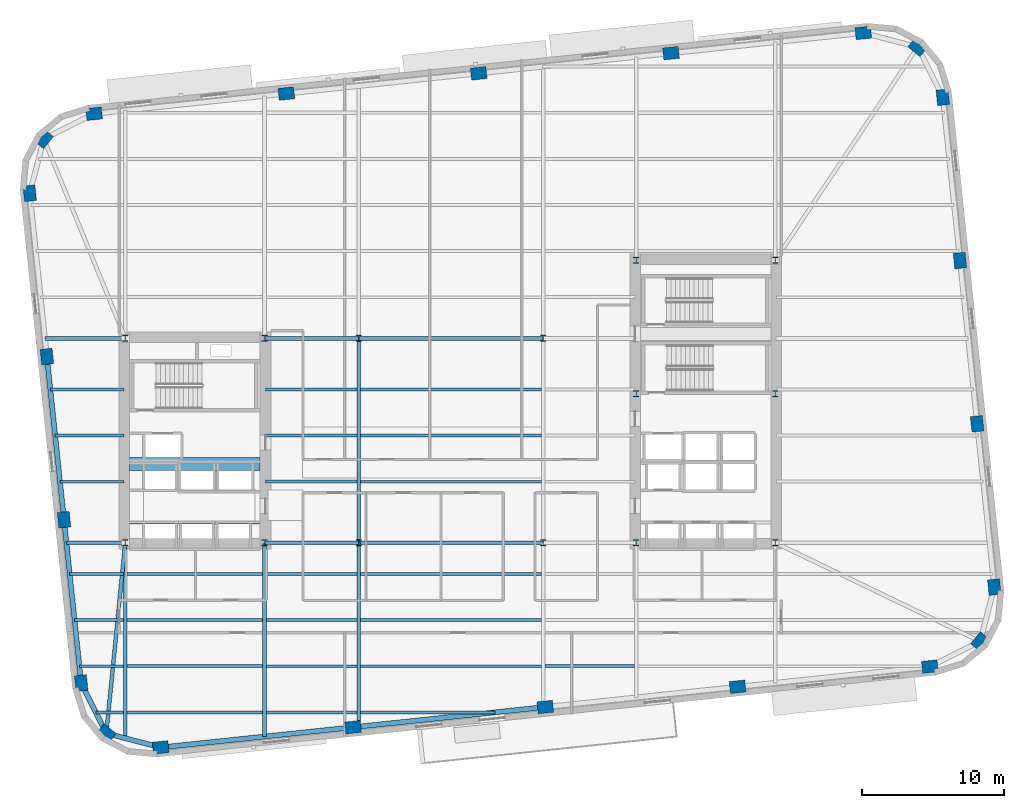
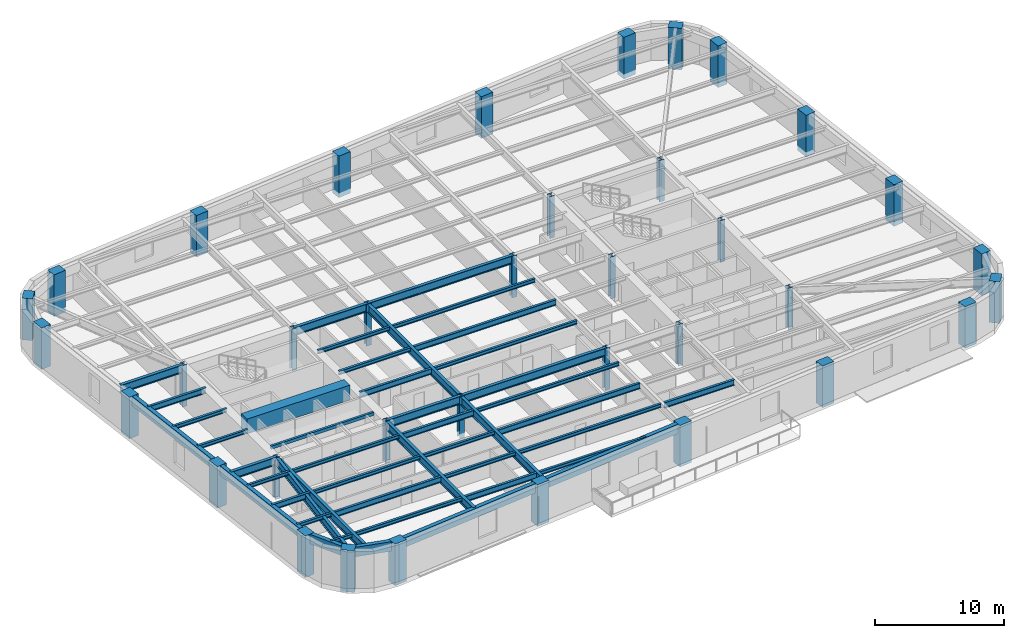
# One storey, part 1 of 11: 45 beams, 36 columns.
"""IFC4 building model written with IfcOpenShell, lengths in metres."""

from ifc_helpers import new_model, si_unit, direction, frame, origin, origin_2d, place, context, subcontext, project, spatial, rectangle, hollow_rectangle, i_section, extrude, material, material_profile, profile_set, type_object, element, save


model = new_model("IFC4")

# Units and contexts
model_context = context("Model", 3, precision=1e-05, world=origin(), true_north=direction((0.0, 1.0)))
body_context = subcontext(model_context, "Body", "Model", "MODEL_VIEW")
ifc_project = project(units=[si_unit("LENGTHUNIT", "METRE"), si_unit("AREAUNIT", "SQUARE_METRE"), si_unit("VOLUMEUNIT", "CUBIC_METRE"), si_unit("PLANEANGLEUNIT", "RADIAN"), si_unit("MASSUNIT", "GRAM", prefix="KILO")], contexts=[model_context])

# Site, building, storey
site_placement = place(None, origin())
site = spatial("IfcSite", under=ifc_project, at=site_placement, CompositionType="ELEMENT")
building_placement = place(site_placement, origin())
building = spatial("IfcBuilding", under=site, at=building_placement, Name="Kolvaren Arena Tower", CompositionType="ELEMENT")
storey_placement = place(building_placement, frame((0.0, 0.0, 99.699951171875)))
storey = spatial("IfcBuildingStorey", under=building, at=storey_placement, Name="L22", CompositionType="ELEMENT", Elevation=99.699951171875)

# Columns
ifc_material_1 = material(Name="Precast concrete C70/85", Category="concrete")
ifc_material_profile_1 = material_profile(ifc_material_1, rectangle(XDim=1.10009765625, YDim=0.85009765625, at=origin_2d()), Name="RC-1100x850")
ifc_profile_set_1 = profile_set([ifc_material_profile_1], Name="Precast concrete C70/85")
column_type_1 = type_object("IfcColumnType", Name="EXCOL-Z2", PredefinedType="COLUMN", material=ifc_profile_set_1)
for number, where, z_axis, x_axis, name in (
    (1, (17.0458984375, 5.024658203125, -0.449951171875), (0.0, 0.0, 1.0), (0.994521895368, 0.104528463268, 0.0), "Exoskeleton Perimeter Column 01 (L22)"),
    (2, (30.59619140625, 6.44873046875, -0.449951171875), (0.0, 0.0, 1.0), (0.994521895368, 0.104528463268, 0.0), "Exoskeleton Perimeter Column 02 (L22)"),
    (3, (44.146728515625, 7.873046875, -0.449951171875), (0.0, 0.0, 1.0), (0.994521895368, 0.104528463268, 0.0), "Exoskeleton Perimeter Column 03 (L22)"),
    (4, (57.697021484375, 9.297119140625, -0.449951171875), (0.0, 0.0, 1.0), (0.994521895368, 0.104528463268, 0.0), "Exoskeleton Perimeter Column 04 (L22)"),
    (5, (71.247314453125, 10.721435546875, -0.449951171875), (0.0, 0.0, 1.0), (0.994521895368, 0.104528463268, 0.0), "Exoskeleton Perimeter Column 05 (L22)"),
    (6, (74.790283203125, 12.49267578125, -0.449951171875), (0.0, 0.0, 1.0), (0.62932039105, 0.777145961457, 0.0), "Exoskeleton Perimeter Column 06 (L22)"),
    (7, (75.786376953125, 16.326416015625, -0.449951171875), (0.0, 0.0, 1.0), (-0.104528463268, 0.994521895368, 0.0), "Exoskeleton Perimeter Column 07 (L22)"),
    (8, (74.577392578125, 27.829833984375, -0.449951171875), (0.0, 0.0, 1.0), (-0.104528463268, 0.994521895368, 0.0), "Exoskeleton Perimeter Column 08 (L22)"),
    (9, (73.368408203125, 39.3330078125, -0.449951171875), (0.0, 0.0, 1.0), (-0.104528463268, 0.994521895368, 0.0), "Exoskeleton Perimeter Column 09 (L22)"),
    (10, (72.1591796875, 50.83642578125, -0.449951171875), (0.0, 0.0, 1.0), (-0.104528463268, 0.994521895368, 0.0), "Exoskeleton Perimeter Column 10 (L22)"),
    (11, (70.387939453125, 54.37939453125, -0.449951171875), (0.0, 0.0, 1.0), (-0.777145961457, 0.62932039105, 0.0), "Exoskeleton Perimeter Column 11 (L22)"),
    (12, (66.55419921875, 55.37548828125, -0.449951171875), (0.0, 0.0, 1.0), (0.994521895368, 0.104528463268, 0.0), "Exoskeleton Perimeter Column 12 (L22)"),
    (13, (53.003662109375, 53.951171875, -0.449951171875), (0.0, 0.0, 1.0), (0.994521895368, 0.104528463268, 0.0), "Exoskeleton Perimeter Column 13 (L22)"),
    (14, (39.453369140625, 52.527099609375, -0.449951171875), (0.0, 0.0, 1.0), (0.994521895368, 0.104528463268, 0.0), "Exoskeleton Perimeter Column 14 (L22)"),
    (15, (25.903076171875, 51.102783203125, -0.449951171875), (0.0, 0.0, 1.0), (0.994521895368, 0.104528463268, 0.0), "Exoskeleton Perimeter Column 15 (L22)"),
    (16, (12.3525390625, 49.6787109375, -0.449951171875), (0.0, 0.0, 1.0), (0.994521895368, 0.104528463268, 0.0), "Exoskeleton Perimeter Column 16 (L22)"),
    (17, (8.8095703125, 47.9072265625, -0.449951171875), (0.0, 0.0, 1.0), (0.62932039105, 0.777145961457, 0.0), "Exoskeleton Perimeter Column 17 (L22)"),
    (18, (7.813720703125, 44.073486328125, -0.449951171875), (0.0, 0.0, 1.0), (-0.104528463268, 0.994521895368, 0.0), "Exoskeleton Perimeter Column 18 (L22)"),
    (19, (9.022705078125, 32.5703125, -0.449951171875), (0.0, 0.0, 1.0), (-0.104528463268, 0.994521895368, 0.0), "Exoskeleton Perimeter Column 19 (L22)"),
    (20, (10.231689453125, 21.06689453125, -0.449951171875), (0.0, 0.0, 1.0), (-0.104528463268, 0.994521895368, 0.0), "Exoskeleton Perimeter Column 20 (L22)"),
    (21, (11.44091796875, 9.5634765625, -0.449951171875), (0.0, 0.0, 1.0), (-0.104528463268, 0.994521895368, 0.0), "Exoskeleton Perimeter Column 21 (L22)"),
    (22, (13.212158203125, 6.0205078125, -0.449951171875), (0.0, 0.0, 1.0), (-0.777145961457, 0.62932039105, 0.0), "Exoskeleton Perimeter Column 22 (L22)"),
):
    element("IfcColumn", number, at=place(storey_placement, frame(where, z_axis=z_axis, x_axis=x_axis)), inside=storey, type_object=column_type_1, Name=name, PredefinedType="COLUMN", context=body_context, shape_type="SweptSolid", body=[
        extrude(rectangle(XDim=1.10009765625, YDim=0.85009765625, at=origin_2d()), origin(), (0.0, 0.0, 1.0), 3.929931640625),
    ])
ifc_material_2 = material(Name="Steel ASTM A913 Grade 65", Category="steel")
ifc_material_profile_2 = material_profile(ifc_material_2, i_section(OverallWidth=0.416015625, OverallDepth=0.446044921875, WebThickness=0.0390625, FlangeThickness=0.062744140625, FilletRadius=0.02001953125, at=origin_2d()), Name="W360x509")
ifc_profile_set_2 = profile_set([ifc_material_profile_2], Name="Steel ASTM A913 Grade 65")
column_type_2 = type_object("IfcColumnType", Name="SCOL-Z2", PredefinedType="COLUMN", material=ifc_profile_set_2)
for number, where, z_axis, x_axis, name in (
    (23, (14.550048828125, 19.449951171875, -0.449951171875), (0.0, 0.0, 1.0), (1.0, 0.0, 0.0), "Core Boundary Column WC-SW (L22)"),
    (24, (24.35009765625, 19.449951171875, -0.449951171875), (0.0, 0.0, 1.0), (1.0, 0.0, 0.0), "Core Boundary Column WC-SE (L22)"),
    (25, (14.550048828125, 33.85009765625, -0.449951171875), (0.0, 0.0, 1.0), (1.0, 0.0, 0.0), "Core Boundary Column WC-NW (L22)"),
    (26, (24.35009765625, 33.85009765625, -0.449951171875), (0.0, 0.0, 1.0), (1.0, 0.0, 0.0), "Core Boundary Column WC-NE (L22)"),
    (27, (50.550048828125, 19.449951171875, -0.449951171875), (0.0, 0.0, 1.0), (1.0, 0.0, 0.0), "Core Boundary Column EC-SW (L22)"),
    (28, (60.35009765625, 19.449951171875, -0.449951171875), (0.0, 0.0, 1.0), (1.0, 0.0, 0.0), "Core Boundary Column EC-SE (L22)"),
    (29, (50.550048828125, 29.949951171875, -0.449951171875), (0.0, 0.0, 1.0), (1.0, 0.0, 0.0), "Core Boundary Column EC-MW (L22)"),
    (30, (60.35009765625, 29.949951171875, -0.449951171875), (0.0, 0.0, 1.0), (1.0, 0.0, 0.0), "Core Boundary Column EC-ME (L22)"),
    (31, (50.550048828125, 39.35009765625, -0.449951171875), (0.0, 0.0, 1.0), (1.0, 0.0, 0.0), "Core Boundary Column EC-NW (L22)"),
    (32, (60.35009765625, 39.35009765625, -0.449951171875), (0.0, 0.0, 1.0), (1.0, 0.0, 0.0), "Core Boundary Column EC-NE (L22)"),
    (33, (31.0, 19.449951171875, -0.449951171875), (0.0, 0.0, 1.0), (1.0, 0.0, 0.0), "Interior Gravity Column TC-SW (L22)"),
    (34, (44.0, 19.449951171875, -0.449951171875), (0.0, 0.0, 1.0), (1.0, 0.0, 0.0), "Interior Gravity Column TC-SE (L22)"),
    (35, (31.0, 33.85009765625, -0.449951171875), (0.0, 0.0, 1.0), (1.0, 0.0, 0.0), "Interior Gravity Column TC-NW (L22)"),
    (36, (44.0, 33.85009765625, -0.449951171875), (0.0, 0.0, 1.0), (1.0, 0.0, 0.0), "Interior Gravity Column TC-NE (L22)"),
):
    element("IfcColumn", number, at=place(storey_placement, frame(where, z_axis=z_axis, x_axis=x_axis)), inside=storey, type_object=column_type_2, Name=name, PredefinedType="COLUMN", context=body_context, shape_type="SweptSolid", body=[
        extrude(i_section(OverallWidth=0.416015625, OverallDepth=0.446044921875, WebThickness=0.0390625, FlangeThickness=0.062744140625, FilletRadius=0.02001953125, at=origin_2d()), origin(), (0.0, 0.0, 1.0), 3.929931640625),
    ])

# Beams
ifc_material_3 = material(Name="Steel CSA G40.21 350W", Category="steel")
ifc_material_profile_3 = material_profile(ifc_material_3, i_section(OverallWidth=0.2119140625, OverallDepth=0.54296875, WebThickness=0.01318359375, FlangeThickness=0.0244140625, FilletRadius=0.013916015625, at=origin_2d()), Name="W530x150")
ifc_profile_set_3 = profile_set([ifc_material_profile_3], Name="Steel CSA G40.21 350W")
beam_type_1 = type_object("IfcBeamType", Name="BEAM-F1", PredefinedType="BEAM", material=ifc_profile_set_3)
beam_1_placement = place(storey_placement, frame((24.485107421875, 7.5, 3.20849609375), z_axis=(1.0, 0.0, 0.0), x_axis=(0.0, 1.0, 0.0)))
element("IfcBeam", 37, at=beam_1_placement, inside=storey, type_object=beam_type_1, Name="Composite Floor Beam (L22)", PredefinedType="BEAM", context=body_context, shape_type="SweptSolid", body=[
    extrude(i_section(OverallWidth=0.2119140625, OverallDepth=0.54296875, WebThickness=0.01318359375, FlangeThickness=0.0244140625, FilletRadius=0.013916015625, at=origin_2d()), origin(), (0.0, 0.0, 1.0), 6.3798828125),
])
beam_2_placement = place(storey_placement, frame((14.68505859375, 10.75, 3.20849609375), z_axis=(1.0, 0.0, 0.0), x_axis=(0.0, 1.0, 0.0)))
element("IfcBeam", 38, at=beam_2_placement, inside=storey, type_object=beam_type_1, Name="Composite Floor Beam (L22)", PredefinedType="BEAM", context=body_context, shape_type="SweptSolid", body=[
    extrude(i_section(OverallWidth=0.2119140625, OverallDepth=0.54296875, WebThickness=0.01318359375, FlangeThickness=0.0244140625, FilletRadius=0.013916015625, at=origin_2d()), origin(), (0.0, 0.0, 1.0), 9.530029296875),
])
beam_3_placement = place(storey_placement, frame((44.135009765625, 10.75, 3.20849609375), z_axis=(1.0, 0.0, 0.0), x_axis=(0.0, 1.0, 0.0)))
element("IfcBeam", 39, at=beam_3_placement, inside=storey, type_object=beam_type_1, Name="Composite Floor Beam (L22)", PredefinedType="BEAM", context=body_context, shape_type="SweptSolid", body=[
    extrude(i_section(OverallWidth=0.2119140625, OverallDepth=0.54296875, WebThickness=0.01318359375, FlangeThickness=0.0244140625, FilletRadius=0.013916015625, at=origin_2d()), origin(), (0.0, 0.0, 1.0), 6.280029296875),
])
beam_4_placement = place(storey_placement, frame((10.974609375, 14.0, 3.20849609375), z_axis=(1.0, 0.0, 0.0), x_axis=(0.0, 1.0, 0.0)))
element("IfcBeam", 40, at=beam_4_placement, inside=storey, type_object=beam_type_1, Name="Composite Floor Beam (L22)", PredefinedType="BEAM", context=body_context, shape_type="SweptSolid", body=[
    extrude(i_section(OverallWidth=0.2119140625, OverallDepth=0.54296875, WebThickness=0.01318359375, FlangeThickness=0.0244140625, FilletRadius=0.013916015625, at=origin_2d()), origin(), (0.0, 0.0, 1.0), 3.4404296875),
])
beam_5_placement = place(storey_placement, frame((31.135009765625, 14.0, 3.20849609375), z_axis=(1.0, 0.0, 0.0), x_axis=(0.0, 1.0, 0.0)))
element("IfcBeam", 41, at=beam_5_placement, inside=storey, type_object=beam_type_1, Name="Composite Floor Beam (L22)", PredefinedType="BEAM", context=body_context, shape_type="SweptSolid", body=[
    extrude(i_section(OverallWidth=0.2119140625, OverallDepth=0.54296875, WebThickness=0.01318359375, FlangeThickness=0.0244140625, FilletRadius=0.013916015625, at=origin_2d()), origin(), (0.0, 0.0, 1.0), 12.72998046875),
])
beam_6_placement = place(storey_placement, frame((24.485107421875, 17.25, 3.20849609375), z_axis=(1.0, 0.0, 0.0), x_axis=(0.0, 1.0, 0.0)))
element("IfcBeam", 42, at=beam_6_placement, inside=storey, type_object=beam_type_1, Name="Composite Floor Beam (L22)", PredefinedType="BEAM", context=body_context, shape_type="SweptSolid", body=[
    extrude(i_section(OverallWidth=0.2119140625, OverallDepth=0.54296875, WebThickness=0.01318359375, FlangeThickness=0.0244140625, FilletRadius=0.013916015625, at=origin_2d()), origin(), (0.0, 0.0, 1.0), 6.3798828125),
])
beam_7_placement = place(storey_placement, frame((24.445068359375, 23.75, 3.20849609375), z_axis=(1.0, 0.0, 0.0), x_axis=(0.0, 1.0, 0.0)))
element("IfcBeam", 43, at=beam_7_placement, inside=storey, type_object=beam_type_1, Name="Composite Floor Beam (L22)", PredefinedType="BEAM", context=body_context, shape_type="SweptSolid", body=[
    extrude(i_section(OverallWidth=0.2119140625, OverallDepth=0.54296875, WebThickness=0.01318359375, FlangeThickness=0.0244140625, FilletRadius=0.013916015625, at=origin_2d()), origin(), (0.0, 0.0, 1.0), 6.419921875),
])
beam_8_placement = place(storey_placement, frame((31.135009765625, 27.0, 3.20849609375), z_axis=(1.0, 0.0, 0.0), x_axis=(0.0, 1.0, 0.0)))
element("IfcBeam", 44, at=beam_8_placement, inside=storey, type_object=beam_type_1, Name="Composite Floor Beam (L22)", PredefinedType="BEAM", context=body_context, shape_type="SweptSolid", body=[
    extrude(i_section(OverallWidth=0.2119140625, OverallDepth=0.54296875, WebThickness=0.01318359375, FlangeThickness=0.0244140625, FilletRadius=0.013916015625, at=origin_2d()), origin(), (0.0, 0.0, 1.0), 12.72998046875),
])
beam_9_placement = place(storey_placement, frame((9.2666015625, 30.25, 3.20849609375), z_axis=(1.0, 0.0, 0.0), x_axis=(0.0, 1.0, 0.0)))
element("IfcBeam", 45, at=beam_9_placement, inside=storey, type_object=beam_type_1, Name="Composite Floor Beam (L22)", PredefinedType="BEAM", context=body_context, shape_type="SweptSolid", body=[
    extrude(i_section(OverallWidth=0.2119140625, OverallDepth=0.54296875, WebThickness=0.01318359375, FlangeThickness=0.0244140625, FilletRadius=0.013916015625, at=origin_2d()), origin(), (0.0, 0.0, 1.0), 5.1884765625),
])
ifc_material_4 = material(Name="Concrete 75 MPa", Category="concrete")
ifc_material_profile_4 = material_profile(ifc_material_4, rectangle(XDim=0.89990234375, YDim=1.39990234375, at=origin_2d()), Name="RC-900x1400")
ifc_profile_set_4 = profile_set([ifc_material_profile_4], Name="Concrete 75 MPa")
beam_type_2 = type_object("IfcBeamType", Name="CB-CORE-1", PredefinedType="BEAM", material=ifc_profile_set_4)
beam_10_placement = place(storey_placement, frame((14.85009765625, 25.0, 3.050048828125), z_axis=(1.0, 0.0, 0.0), x_axis=(0.0, 1.0, 0.0)))
element("IfcBeam", 46, at=beam_10_placement, inside=storey, type_object=beam_type_2, Name="West Core Coupling Beam (L22)", PredefinedType="BEAM", context=body_context, shape_type="SweptSolid", body=[
    extrude(rectangle(XDim=0.89990234375, YDim=1.39990234375, at=origin_2d()), origin(), (0.0, 0.0, 1.0), 9.199951171875),
])
ifc_material_profile_5 = material_profile(ifc_material_3, i_section(OverallWidth=0.27001953125, OverallDepth=0.77294921875, WebThickness=0.019287109375, FlangeThickness=0.033447265625, FilletRadius=0.01806640625, at=origin_2d()), Name="W760x257")
ifc_profile_set_5 = profile_set([ifc_material_profile_5], Name="Steel CSA G40.21 350W")
beam_type_3 = type_object("IfcBeamType", Name="GIRD-T1", PredefinedType="BEAM", material=ifc_profile_set_5)
beam_11_placement = place(storey_placement, frame((13.212158203125, 6.0205078125, 3.093505859375), z_axis=(0.099132957575, 0.995074196592, 0.0), x_axis=(-0.995074196592, 0.099132957575, 0.0)))
element("IfcBeam", 47, at=beam_11_placement, inside=storey, type_object=beam_type_3, Name="Corner Diagonal Tie Girder (L22)", PredefinedType="BEAM", context=body_context, shape_type="SweptSolid", body=[
    extrude(i_section(OverallWidth=0.27001953125, OverallDepth=0.77294921875, WebThickness=0.019287109375, FlangeThickness=0.033447265625, FilletRadius=0.01806640625, at=origin_2d()), origin(), (0.0, 0.0, 1.0), 13.495849609375),
])
beam_12_placement = place(storey_placement, frame((10.401611328125, 19.449951171875, 3.093505859375), z_axis=(1.0, 0.0, 0.0), x_axis=(0.0, 1.0, 0.0)))
element("IfcBeam", 48, at=beam_12_placement, inside=storey, type_object=beam_type_3, Name="Primary Floor Girder (L22)", PredefinedType="BEAM", context=body_context, shape_type="SweptSolid", body=[
    extrude(i_section(OverallWidth=0.27001953125, OverallDepth=0.77294921875, WebThickness=0.019287109375, FlangeThickness=0.033447265625, FilletRadius=0.01806640625, at=origin_2d()), origin(), (0.0, 0.0, 1.0), 4.093505859375),
])
beam_13_placement = place(storey_placement, frame((24.405029296875, 19.449951171875, 3.093505859375), z_axis=(1.0, 0.0, 0.0), x_axis=(0.0, 1.0, 0.0)))
element("IfcBeam", 49, at=beam_13_placement, inside=storey, type_object=beam_type_3, Name="Primary Floor Girder (L22)", PredefinedType="BEAM", context=body_context, shape_type="SweptSolid", body=[
    extrude(i_section(OverallWidth=0.27001953125, OverallDepth=0.77294921875, WebThickness=0.019287109375, FlangeThickness=0.033447265625, FilletRadius=0.01806640625, at=origin_2d()), origin(), (0.0, 0.0, 1.0), 6.594970703125),
])
beam_14_placement = place(storey_placement, frame((31.0, 19.449951171875, 3.093505859375), z_axis=(1.0, 0.0, 0.0), x_axis=(0.0, 1.0, 0.0)))
element("IfcBeam", 50, at=beam_14_placement, inside=storey, type_object=beam_type_3, Name="Primary Floor Girder (L22)", PredefinedType="BEAM", context=body_context, shape_type="SweptSolid", body=[
    extrude(i_section(OverallWidth=0.27001953125, OverallDepth=0.77294921875, WebThickness=0.019287109375, FlangeThickness=0.033447265625, FilletRadius=0.01806640625, at=origin_2d()), origin(), (0.0, 0.0, 1.0), 13.0),
])
beam_15_placement = place(storey_placement, frame((8.88818359375, 33.85009765625, 3.093505859375), z_axis=(1.0, 0.0, 0.0), x_axis=(0.0, 1.0, 0.0)))
element("IfcBeam", 51, at=beam_15_placement, inside=storey, type_object=beam_type_3, Name="Primary Floor Girder (L22)", PredefinedType="BEAM", context=body_context, shape_type="SweptSolid", body=[
    extrude(i_section(OverallWidth=0.27001953125, OverallDepth=0.77294921875, WebThickness=0.019287109375, FlangeThickness=0.033447265625, FilletRadius=0.01806640625, at=origin_2d()), origin(), (0.0, 0.0, 1.0), 5.60693359375),
])
beam_16_placement = place(storey_placement, frame((24.405029296875, 33.85009765625, 3.093505859375), z_axis=(1.0, 0.0, 0.0), x_axis=(0.0, 1.0, 0.0)))
element("IfcBeam", 52, at=beam_16_placement, inside=storey, type_object=beam_type_3, Name="Primary Floor Girder (L22)", PredefinedType="BEAM", context=body_context, shape_type="SweptSolid", body=[
    extrude(i_section(OverallWidth=0.27001953125, OverallDepth=0.77294921875, WebThickness=0.019287109375, FlangeThickness=0.033447265625, FilletRadius=0.01806640625, at=origin_2d()), origin(), (0.0, 0.0, 1.0), 6.594970703125),
])
beam_17_placement = place(storey_placement, frame((31.0, 33.85009765625, 3.093505859375), z_axis=(1.0, 0.0, 0.0), x_axis=(0.0, 1.0, 0.0)))
element("IfcBeam", 53, at=beam_17_placement, inside=storey, type_object=beam_type_3, Name="Primary Floor Girder (L22)", PredefinedType="BEAM", context=body_context, shape_type="SweptSolid", body=[
    extrude(i_section(OverallWidth=0.27001953125, OverallDepth=0.77294921875, WebThickness=0.019287109375, FlangeThickness=0.033447265625, FilletRadius=0.01806640625, at=origin_2d()), origin(), (0.0, 0.0, 1.0), 13.0),
])
beam_18_placement = place(storey_placement, frame((14.550048828125, 5.673095703125, 3.093505859375), z_axis=(0.0, 1.0, 0.0), x_axis=(-1.0, 0.0, 0.0)))
element("IfcBeam", 54, at=beam_18_placement, inside=storey, type_object=beam_type_3, Name="Primary Floor Girder (L22)", PredefinedType="BEAM", context=body_context, shape_type="SweptSolid", body=[
    extrude(i_section(OverallWidth=0.27001953125, OverallDepth=0.77294921875, WebThickness=0.019287109375, FlangeThickness=0.033447265625, FilletRadius=0.01806640625, at=origin_2d()), origin(), (0.0, 0.0, 1.0), 13.721923828125),
])
beam_19_placement = place(storey_placement, frame((24.35009765625, 5.792236328125, 3.093505859375), z_axis=(0.0, 1.0, 0.0), x_axis=(-1.0, 0.0, 0.0)))
element("IfcBeam", 55, at=beam_19_placement, inside=storey, type_object=beam_type_3, Name="Primary Floor Girder (L22)", PredefinedType="BEAM", context=body_context, shape_type="SweptSolid", body=[
    extrude(i_section(OverallWidth=0.27001953125, OverallDepth=0.77294921875, WebThickness=0.019287109375, FlangeThickness=0.033447265625, FilletRadius=0.01806640625, at=origin_2d()), origin(), (0.0, 0.0, 1.0), 13.602783203125),
])
beam_20_placement = place(storey_placement, frame((31.0, 6.4912109375, 3.093505859375), z_axis=(0.0, 1.0, 0.0), x_axis=(-1.0, 0.0, 0.0)))
element("IfcBeam", 56, at=beam_20_placement, inside=storey, type_object=beam_type_3, Name="Primary Floor Girder (L22)", PredefinedType="BEAM", context=body_context, shape_type="SweptSolid", body=[
    extrude(i_section(OverallWidth=0.27001953125, OverallDepth=0.77294921875, WebThickness=0.019287109375, FlangeThickness=0.033447265625, FilletRadius=0.01806640625, at=origin_2d()), origin(), (0.0, 0.0, 1.0), 12.958740234375),
])
beam_21_placement = place(storey_placement, frame((31.0, 19.449951171875, 3.093505859375), z_axis=(0.0, 1.0, 0.0), x_axis=(-1.0, 0.0, 0.0)))
element("IfcBeam", 57, at=beam_21_placement, inside=storey, type_object=beam_type_3, Name="Primary Floor Girder (L22)", PredefinedType="BEAM", context=body_context, shape_type="SweptSolid", body=[
    extrude(i_section(OverallWidth=0.27001953125, OverallDepth=0.77294921875, WebThickness=0.019287109375, FlangeThickness=0.033447265625, FilletRadius=0.01806640625, at=origin_2d()), origin(), (0.0, 0.0, 1.0), 14.400146484375),
])
ifc_material_profile_6 = material_profile(ifc_material_3, i_section(OverallWidth=0.202880859375, OverallDepth=0.346923828125, WebThickness=0.0078125, FlangeThickness=0.013427734375, FilletRadius=0.010986328125, at=origin_2d()), Name="W360x64")
ifc_profile_set_6 = profile_set([ifc_material_profile_6], Name="Steel CSA G40.21 350W")
beam_type_4 = type_object("IfcBeamType", Name="JOIST-01", PredefinedType="JOIST", material=ifc_profile_set_6)
beam_22_placement = place(storey_placement, frame((12.472412109375, 7.5, 3.306640625), z_axis=(1.0, 0.0, 0.0), x_axis=(0.0, 1.0, 0.0)))
element("IfcBeam", 58, at=beam_22_placement, inside=storey, type_object=beam_type_4, Name="Composite Floor Joist (L22)", PredefinedType="JOIST", context=body_context, shape_type="SweptSolid", body=[
    extrude(i_section(OverallWidth=0.202880859375, OverallDepth=0.346923828125, WebThickness=0.0078125, FlangeThickness=0.013427734375, FilletRadius=0.010986328125, at=origin_2d()), origin(), (0.0, 0.0, 1.0), 1.942626953125),
])
beam_23_placement = place(storey_placement, frame((14.68505859375, 7.5, 3.306640625), z_axis=(1.0, 0.0, 0.0), x_axis=(0.0, 1.0, 0.0)))
element("IfcBeam", 59, at=beam_23_placement, inside=storey, type_object=beam_type_4, Name="Composite Floor Joist (L22)", PredefinedType="JOIST", context=body_context, shape_type="SweptSolid", body=[
    extrude(i_section(OverallWidth=0.202880859375, OverallDepth=0.346923828125, WebThickness=0.0078125, FlangeThickness=0.013427734375, FilletRadius=0.010986328125, at=origin_2d()), origin(), (0.0, 0.0, 1.0), 9.530029296875),
])
beam_24_placement = place(storey_placement, frame((31.135009765625, 7.5, 3.306640625), z_axis=(1.0, 0.0, 0.0), x_axis=(0.0, 1.0, 0.0)))
element("IfcBeam", 60, at=beam_24_placement, inside=storey, type_object=beam_type_4, Name="Composite Floor Joist (L22)", PredefinedType="JOIST", context=body_context, shape_type="SweptSolid", body=[
    extrude(i_section(OverallWidth=0.202880859375, OverallDepth=0.346923828125, WebThickness=0.0078125, FlangeThickness=0.013427734375, FilletRadius=0.010986328125, at=origin_2d()), origin(), (0.0, 0.0, 1.0), 9.462890625),
])
beam_25_placement = place(storey_placement, frame((11.316162109375, 10.75, 3.306640625), z_axis=(1.0, 0.0, 0.0), x_axis=(0.0, 1.0, 0.0)))
element("IfcBeam", 61, at=beam_25_placement, inside=storey, type_object=beam_type_4, Name="Composite Floor Joist (L22)", PredefinedType="JOIST", context=body_context, shape_type="SweptSolid", body=[
    extrude(i_section(OverallWidth=0.202880859375, OverallDepth=0.346923828125, WebThickness=0.0078125, FlangeThickness=0.013427734375, FilletRadius=0.010986328125, at=origin_2d()), origin(), (0.0, 0.0, 1.0), 3.098876953125),
])
beam_26_placement = place(storey_placement, frame((24.485107421875, 10.75, 3.306640625), z_axis=(1.0, 0.0, 0.0), x_axis=(0.0, 1.0, 0.0)))
element("IfcBeam", 62, at=beam_26_placement, inside=storey, type_object=beam_type_4, Name="Composite Floor Joist (L22)", PredefinedType="JOIST", context=body_context, shape_type="SweptSolid", body=[
    extrude(i_section(OverallWidth=0.202880859375, OverallDepth=0.346923828125, WebThickness=0.0078125, FlangeThickness=0.013427734375, FilletRadius=0.010986328125, at=origin_2d()), origin(), (0.0, 0.0, 1.0), 6.3798828125),
])
beam_27_placement = place(storey_placement, frame((31.135009765625, 10.75, 3.306640625), z_axis=(1.0, 0.0, 0.0), x_axis=(0.0, 1.0, 0.0)))
element("IfcBeam", 63, at=beam_27_placement, inside=storey, type_object=beam_type_4, Name="Composite Floor Joist (L22)", PredefinedType="JOIST", context=body_context, shape_type="SweptSolid", body=[
    extrude(i_section(OverallWidth=0.202880859375, OverallDepth=0.346923828125, WebThickness=0.0078125, FlangeThickness=0.013427734375, FilletRadius=0.010986328125, at=origin_2d()), origin(), (0.0, 0.0, 1.0), 12.72998046875),
])
beam_28_placement = place(storey_placement, frame((14.68505859375, 14.0, 3.306640625), z_axis=(1.0, 0.0, 0.0), x_axis=(0.0, 1.0, 0.0)))
element("IfcBeam", 64, at=beam_28_placement, inside=storey, type_object=beam_type_4, Name="Composite Floor Joist (L22)", PredefinedType="JOIST", context=body_context, shape_type="SweptSolid", body=[
    extrude(i_section(OverallWidth=0.202880859375, OverallDepth=0.346923828125, WebThickness=0.0078125, FlangeThickness=0.013427734375, FilletRadius=0.010986328125, at=origin_2d()), origin(), (0.0, 0.0, 1.0), 9.530029296875),
])
beam_29_placement = place(storey_placement, frame((24.485107421875, 14.0, 3.306640625), z_axis=(1.0, 0.0, 0.0), x_axis=(0.0, 1.0, 0.0)))
element("IfcBeam", 65, at=beam_29_placement, inside=storey, type_object=beam_type_4, Name="Composite Floor Joist (L22)", PredefinedType="JOIST", context=body_context, shape_type="SweptSolid", body=[
    extrude(i_section(OverallWidth=0.202880859375, OverallDepth=0.346923828125, WebThickness=0.0078125, FlangeThickness=0.013427734375, FilletRadius=0.010986328125, at=origin_2d()), origin(), (0.0, 0.0, 1.0), 6.3798828125),
])
beam_30_placement = place(storey_placement, frame((10.6328125, 17.25, 3.306640625), z_axis=(1.0, 0.0, 0.0), x_axis=(0.0, 1.0, 0.0)))
element("IfcBeam", 66, at=beam_30_placement, inside=storey, type_object=beam_type_4, Name="Composite Floor Joist (L22)", PredefinedType="JOIST", context=body_context, shape_type="SweptSolid", body=[
    extrude(i_section(OverallWidth=0.202880859375, OverallDepth=0.346923828125, WebThickness=0.0078125, FlangeThickness=0.013427734375, FilletRadius=0.010986328125, at=origin_2d()), origin(), (0.0, 0.0, 1.0), 3.7822265625),
])
beam_31_placement = place(storey_placement, frame((14.68505859375, 17.25, 3.306640625), z_axis=(1.0, 0.0, 0.0), x_axis=(0.0, 1.0, 0.0)))
element("IfcBeam", 67, at=beam_31_placement, inside=storey, type_object=beam_type_4, Name="Composite Floor Joist (L22)", PredefinedType="JOIST", context=body_context, shape_type="SweptSolid", body=[
    extrude(i_section(OverallWidth=0.202880859375, OverallDepth=0.346923828125, WebThickness=0.0078125, FlangeThickness=0.013427734375, FilletRadius=0.010986328125, at=origin_2d()), origin(), (0.0, 0.0, 1.0), 9.530029296875),
])
beam_32_placement = place(storey_placement, frame((31.135009765625, 17.25, 3.306640625), z_axis=(1.0, 0.0, 0.0), x_axis=(0.0, 1.0, 0.0)))
element("IfcBeam", 68, at=beam_32_placement, inside=storey, type_object=beam_type_4, Name="Composite Floor Joist (L22)", PredefinedType="JOIST", context=body_context, shape_type="SweptSolid", body=[
    extrude(i_section(OverallWidth=0.202880859375, OverallDepth=0.346923828125, WebThickness=0.0078125, FlangeThickness=0.013427734375, FilletRadius=0.010986328125, at=origin_2d()), origin(), (0.0, 0.0, 1.0), 12.72998046875),
])
beam_33_placement = place(storey_placement, frame((9.94970703125, 23.75, 3.306640625), z_axis=(1.0, 0.0, 0.0), x_axis=(0.0, 1.0, 0.0)))
element("IfcBeam", 69, at=beam_33_placement, inside=storey, type_object=beam_type_4, Name="Composite Floor Joist (L22)", PredefinedType="JOIST", context=body_context, shape_type="SweptSolid", body=[
    extrude(i_section(OverallWidth=0.202880859375, OverallDepth=0.346923828125, WebThickness=0.0078125, FlangeThickness=0.013427734375, FilletRadius=0.010986328125, at=origin_2d()), origin(), (0.0, 0.0, 1.0), 4.50537109375),
])
beam_34_placement = place(storey_placement, frame((31.135009765625, 23.75, 3.306640625), z_axis=(1.0, 0.0, 0.0), x_axis=(0.0, 1.0, 0.0)))
element("IfcBeam", 70, at=beam_34_placement, inside=storey, type_object=beam_type_4, Name="Composite Floor Joist (L22)", PredefinedType="JOIST", context=body_context, shape_type="SweptSolid", body=[
    extrude(i_section(OverallWidth=0.202880859375, OverallDepth=0.346923828125, WebThickness=0.0078125, FlangeThickness=0.013427734375, FilletRadius=0.010986328125, at=origin_2d()), origin(), (0.0, 0.0, 1.0), 12.72998046875),
])
beam_35_placement = place(storey_placement, frame((9.608154296875, 27.0, 3.306640625), z_axis=(1.0, 0.0, 0.0), x_axis=(0.0, 1.0, 0.0)))
element("IfcBeam", 71, at=beam_35_placement, inside=storey, type_object=beam_type_4, Name="Composite Floor Joist (L22)", PredefinedType="JOIST", context=body_context, shape_type="SweptSolid", body=[
    extrude(i_section(OverallWidth=0.202880859375, OverallDepth=0.346923828125, WebThickness=0.0078125, FlangeThickness=0.013427734375, FilletRadius=0.010986328125, at=origin_2d()), origin(), (0.0, 0.0, 1.0), 4.846923828125),
])
for number, where, z_axis, x_axis, name in (
    (72, (24.445068359375, 27.0, 3.306640625), (1.0, 0.0, 0.0), (0.0, 1.0, 0.0), "Composite Floor Joist (L22)"),
    (73, (24.445068359375, 30.25, 3.306640625), (1.0, 0.0, 0.0), (0.0, 1.0, 0.0), "Composite Floor Joist (L22)"),
):
    element("IfcBeam", number, at=place(storey_placement, frame(where, z_axis=z_axis, x_axis=x_axis)), inside=storey, type_object=beam_type_4, Name=name, PredefinedType="JOIST", context=body_context, shape_type="SweptSolid", body=[
        extrude(i_section(OverallWidth=0.202880859375, OverallDepth=0.346923828125, WebThickness=0.0078125, FlangeThickness=0.013427734375, FilletRadius=0.010986328125, at=origin_2d()), origin(), (0.0, 0.0, 1.0), 6.419921875),
    ])
beam_36_placement = place(storey_placement, frame((31.135009765625, 30.25, 3.306640625), z_axis=(1.0, 0.0, 0.0), x_axis=(0.0, 1.0, 0.0)))
element("IfcBeam", 74, at=beam_36_placement, inside=storey, type_object=beam_type_4, Name="Composite Floor Joist (L22)", PredefinedType="JOIST", context=body_context, shape_type="SweptSolid", body=[
    extrude(i_section(OverallWidth=0.202880859375, OverallDepth=0.346923828125, WebThickness=0.0078125, FlangeThickness=0.013427734375, FilletRadius=0.010986328125, at=origin_2d()), origin(), (0.0, 0.0, 1.0), 12.72998046875),
])
ifc_material_profile_7 = material_profile(ifc_material_3, hollow_rectangle(XDim=0.199951171875, YDim=0.300048828125, WallThickness=0.011962890625, at=origin_2d()), Name="HSS 300x200x12")
ifc_profile_set_7 = profile_set([ifc_material_profile_7], Name="Steel CSA G40.21 350W")
beam_type_5 = type_object("IfcBeamType", Name="LINT-01", PredefinedType="LINTEL", material=ifc_profile_set_7)
beam_37_placement = place(storey_placement, frame((14.85009765625, 20.8798828125, 3.330078125), z_axis=(1.0, 0.0, 0.0), x_axis=(0.0, 1.0, 0.0)))
element("IfcBeam", 75, at=beam_37_placement, inside=storey, type_object=beam_type_5, Name="West Lift Lobby Portal Lintel (L22)", PredefinedType="LINTEL", context=body_context, shape_type="SweptSolid", body=[
    extrude(hollow_rectangle(XDim=0.199951171875, YDim=0.300048828125, WallThickness=0.011962890625, at=origin_2d()), origin(), (0.0, 0.0, 1.0), 9.199951171875),
])
ifc_material_5 = material(Name="Steel CSA G40.21 350WT", Category="steel")
ifc_material_profile_8 = material_profile(ifc_material_5, hollow_rectangle(XDim=0.35009765625, YDim=0.89990234375, WallThickness=0.02001953125, at=origin_2d()), Name="HSS 900x350x20")
ifc_profile_set_8 = profile_set([ifc_material_profile_8], Name="Steel CSA G40.21 350WT")
beam_type_6 = type_object("IfcBeamType", Name="SPAND-01", PredefinedType="SPANDREL", material=ifc_profile_set_8)
beam_38_placement = place(storey_placement, frame((17.0458984375, 5.024658203125, 3.030029296875), z_axis=(0.994522817887, 0.104519685718, 0.0), x_axis=(-0.104519685718, 0.994522817887, 0.0)))
element("IfcBeam", 76, at=beam_38_placement, inside=storey, type_object=beam_type_6, Name="Perimeter Spandrel Beam (L22)", PredefinedType="SPANDREL", context=body_context, shape_type="SweptSolid", body=[
    extrude(hollow_rectangle(XDim=0.35009765625, YDim=0.89990234375, WallThickness=0.02001953125, at=origin_2d()), origin(), (0.0, 0.0, 1.0), 13.625),
])
beam_39_placement = place(storey_placement, frame((30.59619140625, 6.44873046875, 3.030029296875), z_axis=(0.994521150946, 0.104535545729, 0.0), x_axis=(-0.104535545729, 0.994521150946, 0.0)))
element("IfcBeam", 77, at=beam_39_placement, inside=storey, type_object=beam_type_6, Name="Perimeter Spandrel Beam (L22)", PredefinedType="SPANDREL", context=body_context, shape_type="SweptSolid", body=[
    extrude(hollow_rectangle(XDim=0.35009765625, YDim=0.89990234375, WallThickness=0.02001953125, at=origin_2d()), origin(), (0.0, 0.0, 1.0), 13.625244140625),
])
for number, where, z_axis, x_axis, name in (
    (78, (9.022705078125, 32.5703125, 3.030029296875), (0.104522171998, -0.994522556587, 0.0), (0.994522556587, 0.104522171998, 0.0), "Perimeter Spandrel Beam (L22)"),
    (79, (10.231689453125, 21.06689453125, 3.030029296875), (0.104543048399, -0.994520362301, 0.0), (0.994520362301, 0.104543048399, 0.0), "Perimeter Spandrel Beam (L22)"),
):
    element("IfcBeam", number, at=place(storey_placement, frame(where, z_axis=z_axis, x_axis=x_axis)), inside=storey, type_object=beam_type_6, Name=name, PredefinedType="SPANDREL", context=body_context, shape_type="SweptSolid", body=[
        extrude(hollow_rectangle(XDim=0.35009765625, YDim=0.89990234375, WallThickness=0.02001953125, at=origin_2d()), origin(), (0.0, 0.0, 1.0), 11.56689453125),
    ])
for number, where, z_axis, x_axis, name in (
    (80, (11.44091796875, 9.5634765625, 3.030029296875), (0.44716428656, -0.894451843771, 0.0), (0.894451843771, 0.44716428656, 0.0), "Perimeter Spandrel Beam (L22)"),
    (81, (13.212158203125, 6.0205078125, 3.030029296875), (0.96787922294, -0.25141561169, 0.0), (0.25141561169, 0.96787922294, 0.0), "Perimeter Spandrel Beam (L22)"),
):
    element("IfcBeam", number, at=place(storey_placement, frame(where, z_axis=z_axis, x_axis=x_axis)), inside=storey, type_object=beam_type_6, Name=name, PredefinedType="SPANDREL", context=body_context, shape_type="SweptSolid", body=[
        extrude(hollow_rectangle(XDim=0.35009765625, YDim=0.89990234375, WallThickness=0.02001953125, at=origin_2d()), origin(), (0.0, 0.0, 1.0), 3.9609375),
    ])

save(model, "model.ifc")
